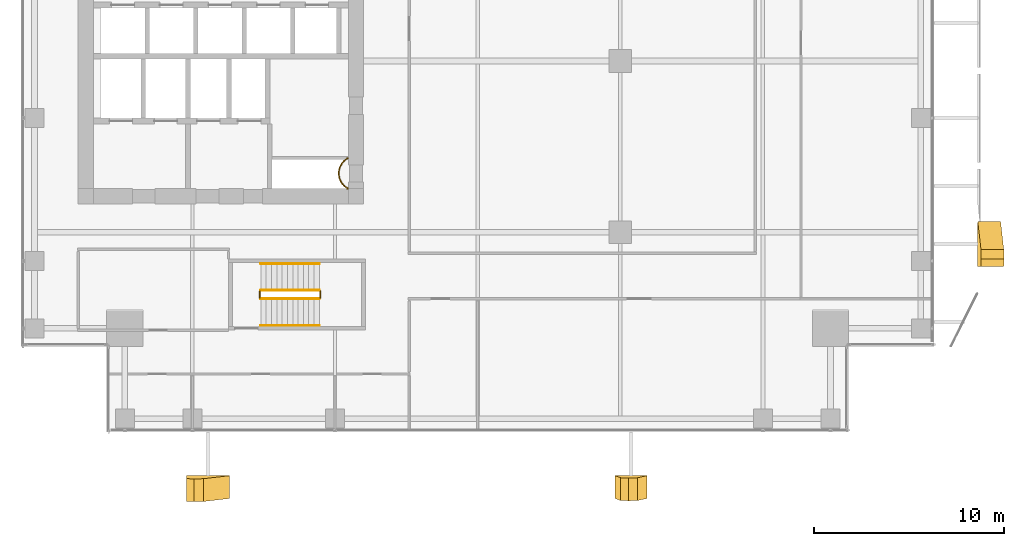
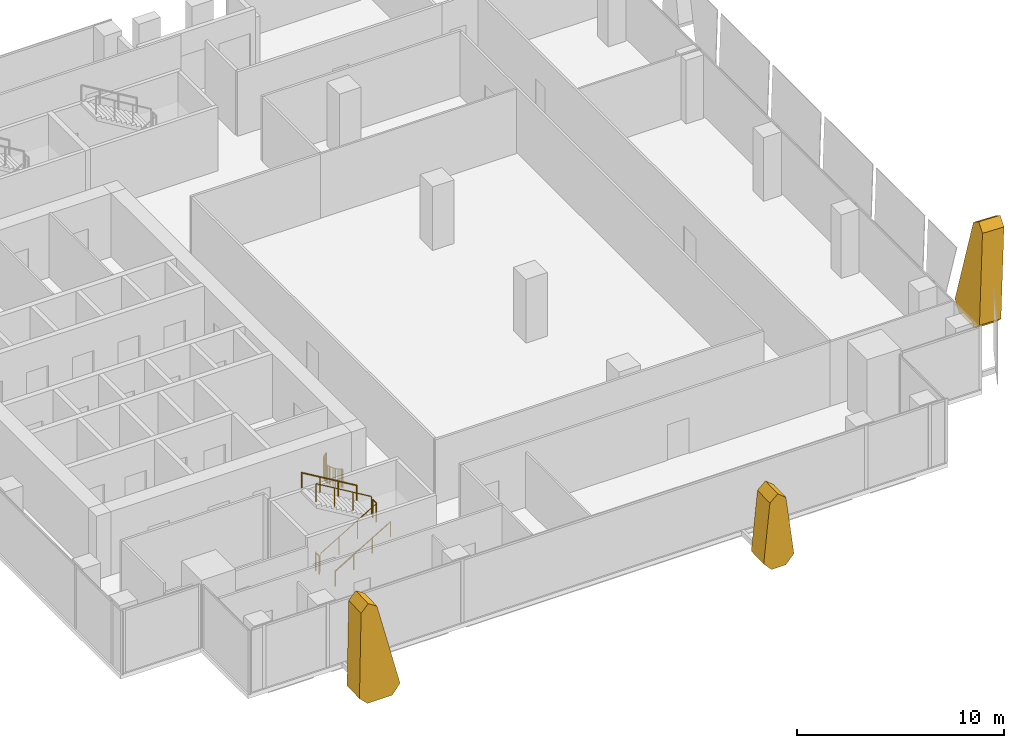
# One storey, part 36 of 38: 7 railings, 3 coverings.
"""IFC4 building model written with IfcOpenShell, lengths in metres."""

from ifc_helpers import new_model, si_unit, direction, frame, origin, origin_2d, place, context, subcontext, project, spatial, polyline, circle, outline, extrude, source, transform, mapped, material, layer, layer_set, type_object, element, save


model = new_model("IFC4")

# Units and contexts
model_context = context("Model", 3, precision=1e-05, world=origin(), true_north=direction((0.0, 1.0)))
body_context = subcontext(model_context, "Body", "Model", "MODEL_VIEW")
ifc_project = project(units=[si_unit("LENGTHUNIT", "METRE"), si_unit("AREAUNIT", "SQUARE_METRE"), si_unit("VOLUMEUNIT", "CUBIC_METRE"), si_unit("PLANEANGLEUNIT", "RADIAN"), si_unit("MASSUNIT", "GRAM", prefix="KILO")], contexts=[model_context])

# Site, building, storey
site_placement = place(None, origin())
site = spatial("IfcSite", under=ifc_project, at=site_placement, CompositionType="ELEMENT")
building_placement = place(site_placement, origin())
building = spatial("IfcBuilding", under=site, at=building_placement, Name="Khomas Fold Tower", CompositionType="ELEMENT")
storey_placement = place(building_placement, frame((0.0, 0.0, 208.699951171875)))
storey = spatial("IfcBuildingStorey", under=building, at=storey_placement, Name="L46", CompositionType="ELEMENT", Elevation=208.699951171875)

# Coverings
ifc_material_1 = material(Name="Natural stone cladding", Category="masonry")
ifc_layer = layer(ifc_material_1, 1.199951171875)
ifc_layer_set = layer_set([ifc_layer], Name="Natural stone cladding")
covering_type = type_object("IfcCoveringType", Name="SK-Karibib marble stone panel", PredefinedType="CLADDING", material=ifc_layer_set)
covering_1_placement = place(storey_placement, frame((11.699951171875, 0.70849609375, 0.449951171875), z_axis=(-7.47944e-07, 0.99951041997, 0.031287703185), x_axis=(1.1e-11, -0.031287703185, 0.99951041997)))
element("IfcCovering", 1, at=covering_1_placement, inside=storey, type_object=covering_type, Name="OUTER SKIN leaf L46 SS03-1", PredefinedType="CLADDING", context=body_context, shape_type="SweptSolid", body=[
    extrude(outline(polyline([(0.0, 0.0), (5.1211572749972625, 0.0), (5.567419222356774, 0.39111328127992373), (5.238157960239509, 0.8845214843724372), (0.11724470635558584, 2.2639160156277622), (-0.4501739235132456, 1.8293457031855995), (-0.4501739235279591, 0.449951171935985), (0.0, 0.0)])), origin(), (0.0, 0.0, -1.0), 1.199951171875),
])
covering_2_placement = place(storey_placement, frame((34.227294921875, 0.70751953125, 0.485595703125), z_axis=(6.6542391e-05, 0.999510091802, 0.031298114276), x_axis=(0.079064865976, -0.031205393353, 0.996380936386)))
element("IfcCovering", 2, at=covering_2_placement, inside=storey, type_object=covering_type, Name="OUTER SKIN leaf L46 SS06-2", PredefinedType="CLADDING", context=body_context, shape_type="SweptSolid", body=[
    extrude(outline(polyline([(0.0, 0.0), (3.5695571595975797, 0.0), (4.017115737932602, 0.40019284014678386), (3.668492840603284, 0.8890036860758344), (0.16155443716465598, 1.6785165191955624), (-0.3862130781173234, 1.275250749846983), (-0.4488318342762752, 0.48573791672725464), (0.0, 0.0)])), origin(), (0.0, 0.0, -1.0), 1.199951171875),
])
covering_3_placement = place(storey_placement, frame((53.29150390625, 11.699951171875, 0.449951171875), z_axis=(-0.999510525488, -6.6137135e-05, 0.031284262267), x_axis=(0.031284262335, -2.99e-10, 0.999510527673)))
element("IfcCovering", 3, at=covering_3_placement, inside=storey, type_object=covering_type, Name="OUTER SKIN leaf L46 ES03-1", PredefinedType="CLADDING", context=body_context, shape_type="SweptSolid", body=[
    extrude(outline(polyline([(0.0, 0.0), (5.360534748180355, 1.6940658945086007e-21), (5.806552674451858, 0.3891601580021617), (5.4811957500170605, 0.8835449274347811), (0.12066100139084121, 2.3740234398000144), (-0.4501739238513819, 1.9404296882031276), (-0.4501739234055186, 0.4499511758378941), (0.0, 0.0)])), origin(), (0.0, 0.0, -1.0), 1.199951171875),
])

# Railings
ifc_material_2 = material(Name="Steel balustrade", Category="steel")
railing_type_1 = type_object("IfcRailingType", Name="Stair guard", PredefinedType="GUARDRAIL", material=ifc_material_2)
shared_shape_1 = source(origin(), body_context, "Body", "SweptSolid", [
    extrude(circle(Radius=0.02392578125, at=origin_2d()), frame((0.0, 0.0, 1.076171875), z_axis=(0.0, 1.0, 0.0), x_axis=(-1.0, 0.0, 0.0)), (0.0, 0.0, 1.0), 0.349853515625),
    extrude(circle(Radius=0.02099609375, at=origin_2d()), origin(), (0.0, 0.0, 1.0), 1.052001953125),
    extrude(circle(Radius=0.02099609375, at=origin_2d()), frame((0.0, 0.349853515625, 0.0)), (0.0, 0.0, 1.0), 1.052001953125),
])
for number, where, name in (
    (4, (18.72998046875, 10.050048828125, 2.0), "L46 ST2 stair guard 2"),
    (5, (15.550048828125, 10.050048828125, 0.0), "L46 ST2 stair guard 4"),
):
    element("IfcRailing", number, at=place(storey_placement, frame(where)), inside=storey, type_object=railing_type_1, Name=name, PredefinedType="GUARDRAIL", context=body_context, shape_type="MappedRepresentation", body=[
        mapped(shared_shape_1, transform((0.0, 0.0, 0.0))),
    ])
shared_shape_2 = source(origin(), body_context, "Body", "SweptSolid", [
    extrude(circle(Radius=0.02392578125, at=origin_2d()), frame((0.0, 0.0, 1.076171875), z_axis=(0.859290745958, 0.0, 0.51148745235), x_axis=(0.0, 1.0, 0.0)), (0.0, 0.0, 1.0), 3.584228515625),
    extrude(circle(Radius=0.02099609375, at=origin_2d()), origin(), (0.0, 0.0, 1.0), 1.052001953125),
    extrude(circle(Radius=0.02099609375, at=origin_2d()), frame((1.026611328125, 0.0, 0.611083984375)), (0.0, 0.0, 1.0), 1.052001953125),
    extrude(circle(Radius=0.02099609375, at=origin_2d()), frame((2.05322265625, 0.0, 1.22216796875)), (0.0, 0.0, 1.0), 1.052001953125),
    extrude(circle(Radius=0.02099609375, at=origin_2d()), frame((3.079833984375, 0.0, 1.833251953125)), (0.0, 0.0, 1.0), 1.052001953125),
])
railing_1_placement = place(storey_placement, frame((15.60009765625, 10.0, 0.166748046875)))
element("IfcRailing", 6, at=railing_1_placement, inside=storey, type_object=railing_type_1, Name="L46 ST2 stair guard 1", PredefinedType="GUARDRAIL", context=body_context, shape_type="MappedRepresentation", body=[
    mapped(shared_shape_2, transform((0.0, 0.0, 0.0))),
])
shared_shape_3 = source(origin(), body_context, "Body", "SweptSolid", [
    extrude(circle(Radius=0.02392578125, at=origin_2d()), frame((0.0, 0.0, 1.076171875), z_axis=(-0.859290745958, 0.0, 0.51148745235), x_axis=(0.0, -1.0, 0.0)), (0.0, 0.0, 1.0), 3.584228515625),
    extrude(circle(Radius=0.02099609375, at=origin_2d()), origin(), (0.0, 0.0, 1.0), 1.052001953125),
    extrude(circle(Radius=0.02099609375, at=origin_2d()), frame((-1.026611328125, 0.0, 0.611083984375)), (0.0, 0.0, 1.0), 1.052001953125),
    extrude(circle(Radius=0.02099609375, at=origin_2d()), frame((-2.05322265625, 0.0, 1.22216796875)), (0.0, 0.0, 1.0), 1.052001953125),
    extrude(circle(Radius=0.02099609375, at=origin_2d()), frame((-3.079833984375, 0.0, 1.833251953125)), (0.0, 0.0, 1.0), 1.052001953125),
])
railing_2_placement = place(storey_placement, frame((18.679931640625, 10.449951171875, 2.166748046875)))
element("IfcRailing", 7, at=railing_2_placement, inside=storey, type_object=railing_type_1, Name="L46 ST2 stair guard 3", PredefinedType="GUARDRAIL", context=body_context, shape_type="MappedRepresentation", body=[
    mapped(shared_shape_3, transform((0.0, 0.0, 0.0))),
])
ifc_material_3 = material(Name="Steel handrail", Category="steel")
railing_type_2 = type_object("IfcRailingType", Name="Stair handrail", PredefinedType="HANDRAIL", material=ifc_material_3)
shared_shape_4 = source(origin(), body_context, "Body", "SweptSolid", [
    extrude(circle(Radius=0.02392578125, at=origin_2d()), frame((0.0, 0.0, 0.8759765625), z_axis=(0.859290745958, 0.0, 0.51148745235), x_axis=(0.0, 1.0, 0.0)), (0.0, 0.0, 1.0), 3.584228515625),
    extrude(circle(Radius=0.02099609375, at=origin_2d()), origin(), (0.0, 0.0, 1.0), 0.851806640625),
    extrude(circle(Radius=0.02099609375, at=origin_2d()), frame((1.026611328125, 0.0, 0.611083984375)), (0.0, 0.0, 1.0), 0.851806640625),
    extrude(circle(Radius=0.02099609375, at=origin_2d()), frame((2.05322265625, 0.0, 1.22216796875)), (0.0, 0.0, 1.0), 0.851806640625),
    extrude(circle(Radius=0.02099609375, at=origin_2d()), frame((3.079833984375, 0.0, 1.833251953125)), (0.0, 0.0, 1.0), 0.851806640625),
])
railing_3_placement = place(storey_placement, frame((15.60009765625, 8.60009765625, 0.166748046875)))
element("IfcRailing", 8, at=railing_3_placement, inside=storey, type_object=railing_type_2, Name="L46 ST2 stair handrail 1", PredefinedType="HANDRAIL", context=body_context, shape_type="MappedRepresentation", body=[
    mapped(shared_shape_4, transform((0.0, 0.0, 0.0))),
])
shared_shape_5 = source(origin(), body_context, "Body", "SweptSolid", [
    extrude(circle(Radius=0.02392578125, at=origin_2d()), frame((0.0, 0.0, 0.8759765625), z_axis=(-0.859290745958, 0.0, 0.51148745235), x_axis=(0.0, -1.0, 0.0)), (0.0, 0.0, 1.0), 3.584228515625),
    extrude(circle(Radius=0.02099609375, at=origin_2d()), origin(), (0.0, 0.0, 1.0), 0.851806640625),
    extrude(circle(Radius=0.02099609375, at=origin_2d()), frame((-1.026611328125, 0.0, 0.611083984375)), (0.0, 0.0, 1.0), 0.851806640625),
    extrude(circle(Radius=0.02099609375, at=origin_2d()), frame((-2.05322265625, 0.0, 1.22216796875)), (0.0, 0.0, 1.0), 0.851806640625),
    extrude(circle(Radius=0.02099609375, at=origin_2d()), frame((-3.079833984375, 0.0, 1.833251953125)), (0.0, 0.0, 1.0), 0.851806640625),
])
railing_4_placement = place(storey_placement, frame((18.679931640625, 11.85009765625, 2.166748046875)))
element("IfcRailing", 9, at=railing_4_placement, inside=storey, type_object=railing_type_2, Name="L46 ST2 stair handrail 2", PredefinedType="HANDRAIL", context=body_context, shape_type="MappedRepresentation", body=[
    mapped(shared_shape_5, transform((0.0, 0.0, 0.0))),
])
ifc_material_4 = material(Name="Steel balustrade", Category="steel")
railing_type_3 = type_object("IfcRailingType", Name="Shaft guard", PredefinedType="GUARDRAIL", material=ifc_material_4)
shared_shape_6 = source(origin(), body_context, "Body", "SweptSolid", [
    extrude(circle(Radius=0.02490234375, at=origin_2d()), frame((0.0, 0.0, 1.0751953125), z_axis=(1.0, 0.0, 0.0), x_axis=(0.0, 1.0, 0.0)), (0.0, 0.0, 1.0), 0.06103515625),
    extrude(circle(Radius=0.02490234375, at=origin_2d()), frame((0.06103515625, 0.0, 1.0751953125), z_axis=(-0.90746690712, -0.420123568111, 0.0), x_axis=(0.420123568111, -0.90746690712, 0.0)), (0.0, 0.0, 1.0), 0.0146484375),
    extrude(circle(Radius=0.02490234375, at=origin_2d()), frame((0.0478515625, -0.006103515625, 1.0751953125), z_axis=(-0.857492925713, -0.514495755428, 0.0), x_axis=(0.514495755428, -0.857492925713, 0.0)), (0.0, 0.0, 1.0), 0.08837890625),
    extrude(circle(Radius=0.02490234375, at=origin_2d()), frame((-0.02783203125, -0.051513671875, 1.0751953125), z_axis=(-0.802970227885, -0.596019138224, 0.0), x_axis=(0.596019138224, -0.802970227885, 0.0)), (0.0, 0.0, 1.0), 0.08837890625),
    extrude(circle(Radius=0.02490234375, at=origin_2d()), frame((-0.098876953125, -0.104248046875, 1.0751953125), z_axis=(-0.740814996175, -0.671709119666, 0.0), x_axis=(0.671709119666, -0.740814996175, 0.0)), (0.0, 0.0, 1.0), 0.08837890625),
    extrude(circle(Radius=0.02490234375, at=origin_2d()), frame((-0.164306640625, -0.16357421875, 1.0751953125), z_axis=(-0.671709119666, -0.740814996175, 0.0), x_axis=(0.740814996175, -0.671709119666, 0.0)), (0.0, 0.0, 1.0), 0.08837890625),
    extrude(circle(Radius=0.02490234375, at=origin_2d()), frame((-0.2236328125, -0.22900390625, 1.0751953125), z_axis=(-0.595558727233, -0.803311771616, 0.0), x_axis=(0.803311771616, -0.595558727233, 0.0)), (0.0, 0.0, 1.0), 0.088134765625),
    extrude(circle(Radius=0.02490234375, at=origin_2d()), frame((-0.276123046875, -0.2998046875, 1.0751953125), z_axis=(-0.514495755428, -0.857492925713, 0.0), x_axis=(0.857492925713, -0.514495755428, 0.0)), (0.0, 0.0, 1.0), 0.08837890625),
    extrude(circle(Radius=0.02490234375, at=origin_2d()), frame((-0.321533203125, -0.37548828125, 1.0751953125), z_axis=(-0.427256721383, -0.904130352346, 0.0), x_axis=(0.904130352346, -0.427256721383, 0.0)), (0.0, 0.0, 1.0), 0.088623046875),
    extrude(circle(Radius=0.02490234375, at=origin_2d()), frame((-0.359375, -0.45556640625, 1.0751953125), z_axis=(-0.337738989679, -0.941239807302, 0.0), x_axis=(0.941239807302, -0.337738989679, 0.0)), (0.0, 0.0, 1.0), 0.088134765625),
    extrude(circle(Radius=0.02490234375, at=origin_2d()), frame((-0.38916015625, -0.53857421875, 1.0751953125), z_axis=(-0.243185799972, -0.969979724887, 0.0), x_axis=(0.969979724887, -0.243185799972, 0.0)), (0.0, 0.0, 1.0), 0.08837890625),
    extrude(circle(Radius=0.02490234375, at=origin_2d()), frame((-0.41064453125, -0.624267578125, 1.0751953125), z_axis=(-0.146448518259, -0.989218293148, 0.0), x_axis=(0.989218293148, -0.146448518259, 0.0)), (0.0, 0.0, 1.0), 0.08837890625),
    extrude(circle(Radius=0.02490234375, at=origin_2d()), frame((-0.423583984375, -0.711669921875, 1.0751953125), z_axis=(-0.049799629132, -0.998759228712, 0.0), x_axis=(0.998759228712, -0.049799629132, 0.0)), (0.0, 0.0, 1.0), 0.088134765625),
    extrude(circle(Radius=0.02490234375, at=origin_2d()), frame((-0.427978515625, -0.7998046875, 1.0751953125), z_axis=(0.049662400856, -0.998766061669, 0.0), x_axis=(0.998766061669, 0.049662400856, 0.0)), (0.0, 0.0, 1.0), 0.08837890625),
    extrude(circle(Radius=0.02490234375, at=origin_2d()), frame((-0.423583984375, -0.88818359375, 1.0751953125), z_axis=(0.146448518259, -0.989218293148, 0.0), x_axis=(0.989218293148, 0.146448518259, 0.0)), (0.0, 0.0, 1.0), 0.08837890625),
    extrude(circle(Radius=0.02490234375, at=origin_2d()), frame((-0.41064453125, -0.9755859375, 1.0751953125), z_axis=(0.243185799972, -0.969979724887, 0.0), x_axis=(0.969979724887, 0.243185799972, 0.0)), (0.0, 0.0, 1.0), 0.08837890625),
    extrude(circle(Radius=0.02490234375, at=origin_2d()), frame((-0.38916015625, -1.061279296875, 1.0751953125), z_axis=(0.337738989679, -0.941239807302, 0.0), x_axis=(0.941239807302, 0.337738989679, 0.0)), (0.0, 0.0, 1.0), 0.088134765625),
    extrude(circle(Radius=0.02490234375, at=origin_2d()), frame((-0.359375, -1.144287109375, 1.0751953125), z_axis=(0.428323905606, -0.903625271828, 0.0), x_axis=(0.903625271828, 0.428323905606, 0.0)), (0.0, 0.0, 1.0), 0.08837890625),
    extrude(circle(Radius=0.02490234375, at=origin_2d()), frame((-0.321533203125, -1.22412109375, 1.0751953125), z_axis=(0.514495755428, -0.857492925713, 0.0), x_axis=(0.857492925713, 0.514495755428, 0.0)), (0.0, 0.0, 1.0), 0.08837890625),
    extrude(circle(Radius=0.02490234375, at=origin_2d()), frame((-0.276123046875, -1.2998046875, 1.0751953125), z_axis=(0.594235623595, -0.804291006819, 0.0), x_axis=(0.804291006819, 0.594235623595, 0.0)), (0.0, 0.0, 1.0), 0.08837890625),
    extrude(circle(Radius=0.02490234375, at=origin_2d()), frame((-0.2236328125, -1.370849609375, 1.0751953125), z_axis=(0.671709119666, -0.740814996175, 0.0), x_axis=(0.740814996175, 0.671709119666, 0.0)), (0.0, 0.0, 1.0), 0.08837890625),
    extrude(circle(Radius=0.02490234375, at=origin_2d()), frame((-0.164306640625, -1.436279296875, 1.0751953125), z_axis=(0.740814996175, -0.671709119666, 0.0), x_axis=(0.671709119666, 0.740814996175, 0.0)), (0.0, 0.0, 1.0), 0.08837890625),
    extrude(circle(Radius=0.02490234375, at=origin_2d()), frame((-0.098876953125, -1.49560546875, 1.0751953125), z_axis=(0.804291006819, -0.594235623595, 0.0), x_axis=(0.594235623595, 0.804291006819, 0.0)), (0.0, 0.0, 1.0), 0.08837890625),
    extrude(circle(Radius=0.02490234375, at=origin_2d()), frame((-0.02783203125, -1.548095703125, 1.0751953125), z_axis=(0.857492925713, -0.514495755428, 0.0), x_axis=(0.514495755428, 0.857492925713, 0.0)), (0.0, 0.0, 1.0), 0.08837890625),
    extrude(circle(Radius=0.02490234375, at=origin_2d()), frame((0.0478515625, -1.593505859375, 1.0751953125), z_axis=(0.901001669759, -0.433815618773, 0.0), x_axis=(0.433815618773, 0.901001669759, 0.0)), (0.0, 0.0, 1.0), 0.0146484375),
    extrude(circle(Radius=0.02490234375, at=origin_2d()), frame((0.06103515625, -1.599853515625, 1.0751953125), z_axis=(-1.0, 0.0, 0.0), x_axis=(0.0, -1.0, 0.0)), (0.0, 0.0, 1.0), 0.06103515625),
    extrude(circle(Radius=0.02001953125, at=origin_2d()), origin(), (0.0, 0.0, 1.0), 1.050048828125),
    extrude(circle(Radius=0.02001953125, at=origin_2d()), frame((0.06103515625, 0.0, 0.0)), (0.0, 0.0, 1.0), 1.050048828125),
    extrude(circle(Radius=0.02001953125, at=origin_2d()), frame((0.0478515625, -0.006103515625, 0.0)), (0.0, 0.0, 1.0), 1.050048828125),
    extrude(circle(Radius=0.02001953125, at=origin_2d()), frame((-0.02783203125, -0.051513671875, 0.0)), (0.0, 0.0, 1.0), 1.050048828125),
    extrude(circle(Radius=0.02001953125, at=origin_2d()), frame((-0.098876953125, -0.104248046875, 0.0)), (0.0, 0.0, 1.0), 1.050048828125),
    extrude(circle(Radius=0.02001953125, at=origin_2d()), frame((-0.164306640625, -0.16357421875, 0.0)), (0.0, 0.0, 1.0), 1.050048828125),
    extrude(circle(Radius=0.02001953125, at=origin_2d()), frame((-0.2236328125, -0.22900390625, 0.0)), (0.0, 0.0, 1.0), 1.050048828125),
    extrude(circle(Radius=0.02001953125, at=origin_2d()), frame((-0.276123046875, -0.2998046875, 0.0)), (0.0, 0.0, 1.0), 1.050048828125),
    extrude(circle(Radius=0.02001953125, at=origin_2d()), frame((-0.321533203125, -0.37548828125, 0.0)), (0.0, 0.0, 1.0), 1.050048828125),
    extrude(circle(Radius=0.02001953125, at=origin_2d()), frame((-0.359375, -0.45556640625, 0.0)), (0.0, 0.0, 1.0), 1.050048828125),
    extrude(circle(Radius=0.02001953125, at=origin_2d()), frame((-0.38916015625, -0.53857421875, 0.0)), (0.0, 0.0, 1.0), 1.050048828125),
    extrude(circle(Radius=0.02001953125, at=origin_2d()), frame((-0.41064453125, -0.624267578125, 0.0)), (0.0, 0.0, 1.0), 1.050048828125),
    extrude(circle(Radius=0.02001953125, at=origin_2d()), frame((-0.423583984375, -0.711669921875, 0.0)), (0.0, 0.0, 1.0), 1.050048828125),
    extrude(circle(Radius=0.02001953125, at=origin_2d()), frame((-0.427978515625, -0.7998046875, 0.0)), (0.0, 0.0, 1.0), 1.050048828125),
    extrude(circle(Radius=0.02001953125, at=origin_2d()), frame((-0.423583984375, -0.88818359375, 0.0)), (0.0, 0.0, 1.0), 1.050048828125),
    extrude(circle(Radius=0.02001953125, at=origin_2d()), frame((-0.41064453125, -0.9755859375, 0.0)), (0.0, 0.0, 1.0), 1.050048828125),
    extrude(circle(Radius=0.02001953125, at=origin_2d()), frame((-0.38916015625, -1.061279296875, 0.0)), (0.0, 0.0, 1.0), 1.050048828125),
    extrude(circle(Radius=0.02001953125, at=origin_2d()), frame((-0.359375, -1.144287109375, 0.0)), (0.0, 0.0, 1.0), 1.050048828125),
    extrude(circle(Radius=0.02001953125, at=origin_2d()), frame((-0.321533203125, -1.22412109375, 0.0)), (0.0, 0.0, 1.0), 1.050048828125),
    extrude(circle(Radius=0.02001953125, at=origin_2d()), frame((-0.276123046875, -1.2998046875, 0.0)), (0.0, 0.0, 1.0), 1.050048828125),
    extrude(circle(Radius=0.02001953125, at=origin_2d()), frame((-0.2236328125, -1.370849609375, 0.0)), (0.0, 0.0, 1.0), 1.050048828125),
    extrude(circle(Radius=0.02001953125, at=origin_2d()), frame((-0.164306640625, -1.436279296875, 0.0)), (0.0, 0.0, 1.0), 1.050048828125),
    extrude(circle(Radius=0.02001953125, at=origin_2d()), frame((-0.098876953125, -1.49560546875, 0.0)), (0.0, 0.0, 1.0), 1.050048828125),
    extrude(circle(Radius=0.02001953125, at=origin_2d()), frame((-0.02783203125, -1.548095703125, 0.0)), (0.0, 0.0, 1.0), 1.050048828125),
    extrude(circle(Radius=0.02001953125, at=origin_2d()), frame((0.0478515625, -1.593505859375, 0.0)), (0.0, 0.0, 1.0), 1.050048828125),
    extrude(circle(Radius=0.02001953125, at=origin_2d()), frame((0.06103515625, -1.599853515625, 0.0)), (0.0, 0.0, 1.0), 1.050048828125),
    extrude(circle(Radius=0.02001953125, at=origin_2d()), frame((0.0, -1.599853515625, 0.0)), (0.0, 0.0, 1.0), 1.050048828125),
])
railing_5_placement = place(storey_placement, frame((20.1279296875, 17.39990234375, 0.0)))
element("IfcRailing", 10, at=railing_5_placement, inside=storey, type_object=railing_type_3, Name="Shaft guard L46 1", PredefinedType="GUARDRAIL", context=body_context, shape_type="MappedRepresentation", body=[
    mapped(shared_shape_6, transform((0.0, 0.0, 0.0))),
])

save(model, "model.ifc")
